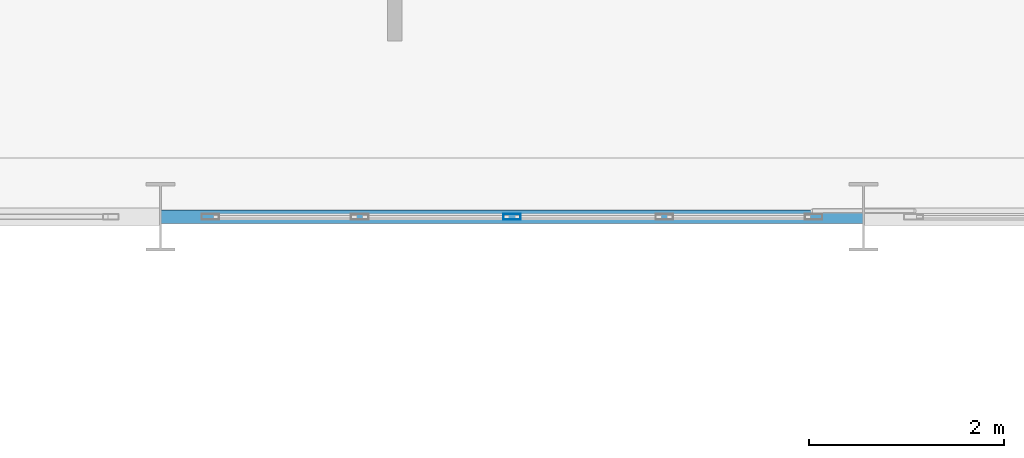
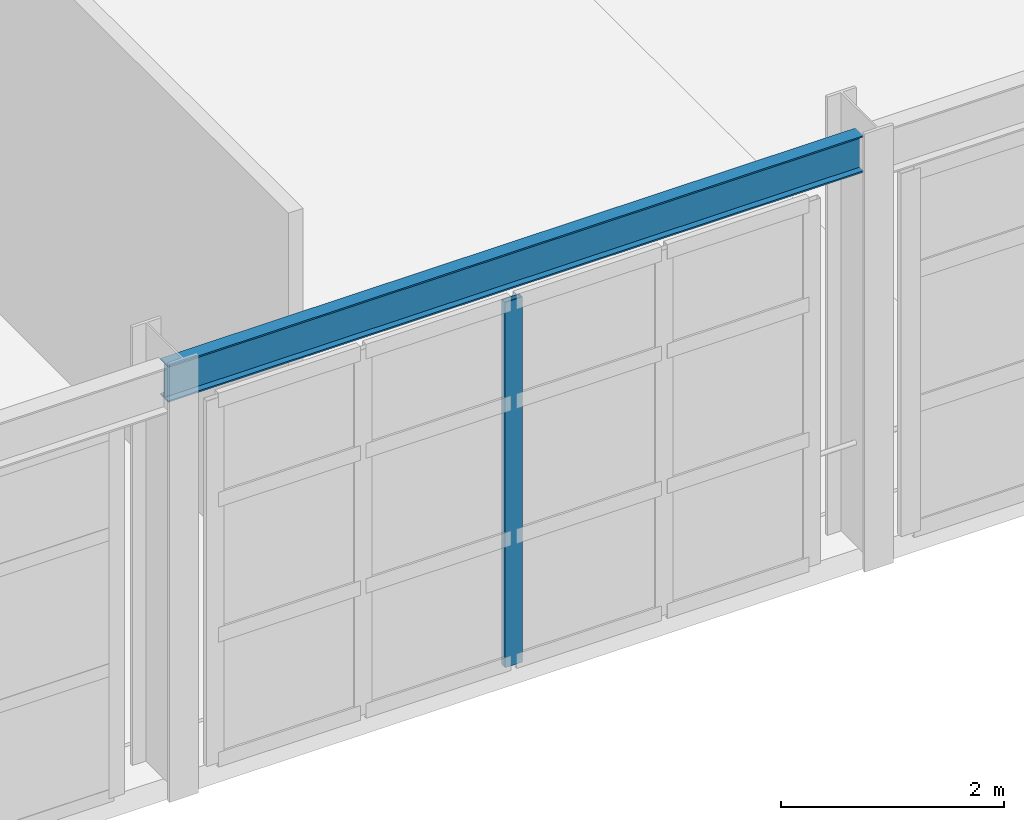
# One storey, part 37 of 126: 1 beam, 1 member, 1 element without a shape of its own.
"""IFC4 building model written with IfcOpenShell, lengths in metres."""

from ifc_helpers import new_model, si_unit, direction, frame, origin, origin_2d, place, context, subcontext, project, spatial, hollow_rectangle, i_section, extrude, material, layer, layer_set, material_profile, profile_set, type_object, element, aggregate, save


model = new_model("IFC4")

# Units and contexts
model_context = context("Model", 3, precision=1e-05, world=origin(), true_north=direction((0.0, 1.0)))
body_context = subcontext(model_context, "Body", "Model", "MODEL_VIEW")
ifc_project = project(units=[si_unit("LENGTHUNIT", "METRE"), si_unit("AREAUNIT", "SQUARE_METRE"), si_unit("VOLUMEUNIT", "CUBIC_METRE"), si_unit("PLANEANGLEUNIT", "RADIAN"), si_unit("MASSUNIT", "GRAM", prefix="KILO")], contexts=[model_context])

# Site, building, storey
site_placement = place(None, origin())
site = spatial("IfcSite", under=ifc_project, at=site_placement, CompositionType="ELEMENT")
building_placement = place(site_placement, origin())
building = spatial("IfcBuilding", under=site, at=building_placement, Name="Solvadek Multi-Sports Hall", CompositionType="ELEMENT")
storey_placement = place(building_placement, frame((0.0, 0.0, 9.60009765625)))
storey = spatial("IfcBuildingStorey", under=building, at=storey_placement, Name="L02", CompositionType="ELEMENT", Elevation=9.60009765625)

# Curtain wall, member
ifc_material_1 = material(Name="Anodised aluminium", Category="aluminium")
ifc_layer = layer(ifc_material_1, 0.159912109375, Name="Anodised aluminium")
ifc_layer_set = layer_set([ifc_layer], Name="Anodised aluminium")
curtain_wall_type = type_object("IfcCurtainWallType", Name="ENV-CW-624X400", PredefinedType="USERDEFINED", material=ifc_layer_set)
curtain_wall_placement = place(storey_placement, origin())
curtain_wall = element("IfcCurtainWall", 1, at=curtain_wall_placement, inside=storey, type_object=curtain_wall_type, Name="L02 Perimeter Bay Curtain Wall #173", ObjectType="CURTAIN WALL", PredefinedType="USERDEFINED")
ifc_material_profile_1 = material_profile(ifc_material_1, hollow_rectangle(XDim=0.06005859375, YDim=0.179931640625, WallThickness=0.00390625, at=origin_2d()), Name="ALU-M 180x60x4")
ifc_profile_set_1 = profile_set([ifc_material_profile_1], Name="Anodised aluminium")
member_type = type_object("IfcMemberType", Name="ENV-CWM-02", PredefinedType="MULLION", material=ifc_profile_set_1)
member_placement = place(storey_placement, frame((46.800048828125, 49.199951171875, 0.0), z_axis=(0.0, 0.0, 1.0), x_axis=(0.0, 1.0, 0.0)))
member = element("IfcMember", 2, at=member_placement, type_object=member_type, Name="CW-56 mullion 3", PredefinedType="MULLION", context=body_context, shape_type="SweptSolid", body=[
    extrude(hollow_rectangle(XDim=0.06005859375, YDim=0.179931640625, WallThickness=0.00390625, at=origin_2d()), origin(), (0.0, 0.0, 1.0), 4.0),
])
aggregate(curtain_wall, [member])

# Beam
ifc_material_2 = material(Name="Steel E350 (350 MPa)", Category="steel")
ifc_material_profile_2 = material_profile(ifc_material_2, i_section(OverallWidth=0.139892578125, OverallDepth=0.39990234375, WebThickness=0.0087890625, FlangeThickness=0.01611328125, at=origin_2d()), Name="ISMB 400")
ifc_profile_set_2 = profile_set([ifc_material_profile_2], Name="Steel E350 (350 MPa)")
beam_type = type_object("IfcBeamType", Name="STR-BM-ISMB400", PredefinedType="BEAM", material=ifc_profile_set_2)
beam_placement = place(storey_placement, frame((43.199951171875, 49.199951171875, 4.35986328125), z_axis=(1.0, 0.0, 0.0), x_axis=(0.0, 1.0, 0.0)))
element("IfcBeam", 3, at=beam_placement, inside=storey, type_object=beam_type, Name="L02 Girder B-10 #1371", PredefinedType="BEAM", context=body_context, shape_type="SweptSolid", body=[
    extrude(i_section(OverallWidth=0.139892578125, OverallDepth=0.39990234375, WebThickness=0.0087890625, FlangeThickness=0.01611328125, at=origin_2d()), origin(), (0.0, 0.0, 1.0), 7.199951171875),
])

save(model, "model.ifc")
